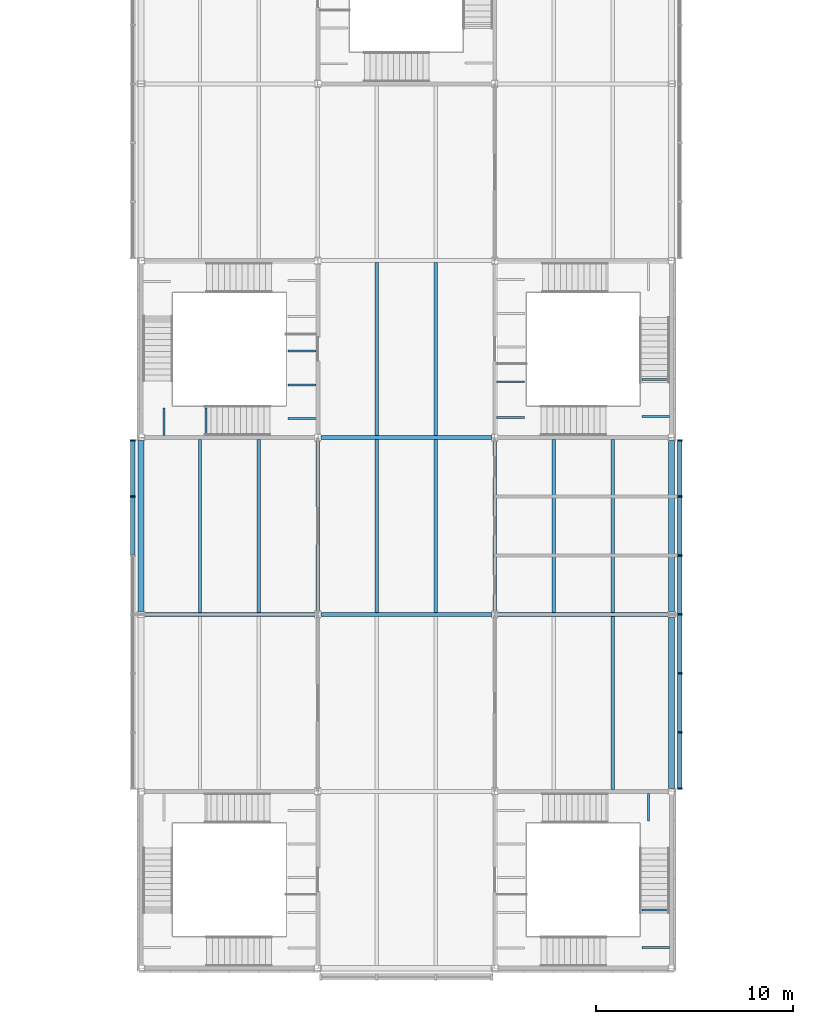
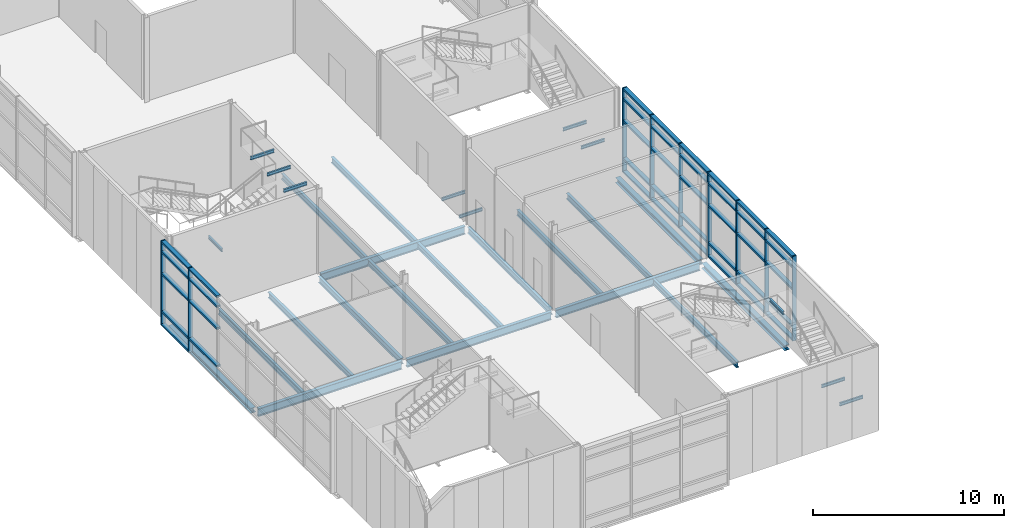
# One storey, part 10 of 52: 48 members, 30 beams, 2 elements without a shape of their own.
"""IFC4 building model written with IfcOpenShell, lengths in metres."""

from ifc_helpers import new_model, si_unit, direction, frame, origin, origin_2d, place, context, subcontext, project, spatial, rectangle, i_section, extrude, material, material_profile, profile_set, type_object, element, aggregate, save


model = new_model("IFC4")

# Units and contexts
model_context = context("Model", 3, precision=1e-05, world=origin(), true_north=direction((0.0, 1.0)))
body_context = subcontext(model_context, "Body", "Model", "MODEL_VIEW")
ifc_project = project(units=[si_unit("LENGTHUNIT", "METRE"), si_unit("AREAUNIT", "SQUARE_METRE"), si_unit("VOLUMEUNIT", "CUBIC_METRE"), si_unit("PLANEANGLEUNIT", "RADIAN"), si_unit("MASSUNIT", "GRAM", prefix="KILO")], contexts=[model_context])

# Site, building, storey
site_placement = place(None, origin())
site = spatial("IfcSite", under=ifc_project, at=site_placement, CompositionType="ELEMENT")
building_placement = place(site_placement, origin())
building = spatial("IfcBuilding", under=site, at=building_placement, Name="Azimuth Sports and Learning Centre", CompositionType="ELEMENT")
storey_placement = place(building_placement, frame((0.0, 0.0, 16.199951171875)))
storey = spatial("IfcBuildingStorey", under=building, at=storey_placement, Name="L03", CompositionType="ELEMENT", Elevation=16.199951171875)

# Beams
ifc_material_1 = material(Name="Steel S355", Category="steel")
ifc_material_profile_1 = material_profile(ifc_material_1, i_section(OverallWidth=0.10009765625, OverallDepth=0.199951171875, WebThickness=0.005615234375, FlangeThickness=0.008544921875, FilletRadius=0.011962890625, at=origin_2d()), Name="IPE 200")
ifc_profile_set_1 = profile_set([ifc_material_profile_1], Name="Steel S355")
beam_type_1 = type_object("IfcBeamType", Name="Beam IPE 200", PredefinedType="BEAM", material=ifc_profile_set_1)
for number, where, z_axis, x_axis, name in (
    (1, (98.89990234375, 1.06005859375, 1.5), (-1.0, 0.0, 0.0), (0.0, -1.0, 0.0), "Landing bracket ST2 L03 1052"),
    (2, (98.89990234375, 2.9599609375, 1.5), (-1.0, 0.0, 0.0), (0.0, -1.0, 0.0), "Landing bracket ST2 L03 1053"),
    (3, (97.827392578125, 8.89990234375, 3.300048828125), (0.0, -1.0, 0.0), (1.0, 0.0, 0.0), "Landing bracket ST2 L03 1055"),
    (4, (73.172607421875, 27.10009765625, 3.300048828125), (0.0, 1.0, 0.0), (-1.0, 0.0, 0.0), "Landing bracket ST3 L03 1088"),
    (5, (75.297607421875, 27.10009765625, 3.300048828125), (0.0, 1.0, 0.0), (-1.0, 0.0, 0.0), "Landing bracket ST3 L03 1089"),
    (6, (80.89990234375, 27.966552734375, 5.10009765625), (-1.0, 0.0, 0.0), (0.0, -1.0, 0.0), "Landing bracket ST3 L03 1090"),
    (7, (80.89990234375, 29.679931640625, 5.10009765625), (-1.0, 0.0, 0.0), (0.0, -1.0, 0.0), "Landing bracket ST3 L03 1091"),
    (8, (80.89990234375, 31.393310546875, 5.10009765625), (-1.0, 0.0, 0.0), (0.0, -1.0, 0.0), "Landing bracket ST3 L03 1092"),
    (9, (90.10009765625, 28.02001953125, -0.300048828125), (1.0, 0.0, 0.0), (0.0, 1.0, 0.0), "Landing bracket ST4 L03 1118"),
    (10, (90.10009765625, 29.840087890625, -0.300048828125), (1.0, 0.0, 0.0), (0.0, 1.0, 0.0), "Landing bracket ST4 L03 1119"),
    (11, (98.89990234375, 28.06005859375, 1.5), (-1.0, 0.0, 0.0), (0.0, -1.0, 0.0), "Landing bracket ST4 L03 1120"),
    (12, (98.89990234375, 29.9599609375, 1.5), (-1.0, 0.0, 0.0), (0.0, -1.0, 0.0), "Landing bracket ST4 L03 1121"),
):
    element("IfcBeam", number, at=place(storey_placement, frame(where, z_axis=z_axis, x_axis=x_axis)), inside=storey, type_object=beam_type_1, Name=name, PredefinedType="BEAM", context=body_context, shape_type="SweptSolid", body=[
        extrude(i_section(OverallWidth=0.10009765625, OverallDepth=0.199951171875, WebThickness=0.005615234375, FlangeThickness=0.008544921875, FilletRadius=0.011962890625, at=origin_2d()), origin(), (0.0, 0.0, 1.0), 1.409912109375),
    ])
ifc_material_2 = material(Name="Steel S355", Category="steel")
ifc_material_profile_2 = material_profile(ifc_material_2, i_section(OverallWidth=0.179931640625, OverallDepth=0.39990234375, WebThickness=0.008544921875, FlangeThickness=0.013427734375, FilletRadius=0.02099609375, at=origin_2d()), Name="IPE 400")
ifc_profile_set_2 = profile_set([ifc_material_profile_2], Name="Steel S355")
beam_type_2 = type_object("IfcBeamType", Name="Beam IPE 400", PredefinedType="BEAM", material=ifc_profile_set_2)
for number, where, z_axis, x_axis, name in (
    (13, (81.0, 18.179931640625, -0.349853515625), (0.0, 1.0, 0.0), (-1.0, 0.0, 0.0), "Beam L03 ST 30"),
    (14, (90.0, 18.179931640625, -0.349853515625), (0.0, 1.0, 0.0), (-1.0, 0.0, 0.0), "Beam L03 ST 36"),
):
    element("IfcBeam", number, at=place(storey_placement, frame(where, z_axis=z_axis, x_axis=x_axis)), inside=storey, type_object=beam_type_2, Name=name, PredefinedType="BEAM", context=body_context, shape_type="SweptSolid", body=[
        extrude(i_section(OverallWidth=0.179931640625, OverallDepth=0.39990234375, WebThickness=0.008544921875, FlangeThickness=0.013427734375, FilletRadius=0.02099609375, at=origin_2d()), origin(), (0.0, 0.0, 1.0), 8.64013671875),
    ])
ifc_material_3 = material(Name="Steel S355", Category="steel")
ifc_material_profile_3 = material_profile(ifc_material_3, i_section(OverallWidth=0.199951171875, OverallDepth=0.5, WebThickness=0.01025390625, FlangeThickness=0.01611328125, FilletRadius=0.02099609375, at=origin_2d()), Name="IPE 500")
ifc_profile_set_3 = profile_set([ifc_material_profile_3], Name="Steel S355")
beam_type_3 = type_object("IfcBeamType", Name="Beam IPE 500", PredefinedType="BEAM", material=ifc_profile_set_3)
beam_1_placement = place(storey_placement, frame((72.179931640625, 18.0, -0.39990234375), z_axis=(1.0, 0.0, 0.0), x_axis=(0.0, 1.0, 0.0)))
element("IfcBeam", 15, at=beam_1_placement, inside=storey, type_object=beam_type_3, Name="Beam L03 ST 3", PredefinedType="BEAM", context=body_context, shape_type="SweptSolid", body=[
    extrude(i_section(OverallWidth=0.199951171875, OverallDepth=0.5, WebThickness=0.01025390625, FlangeThickness=0.01611328125, FilletRadius=0.02099609375, at=origin_2d()), origin(), (0.0, 0.0, 1.0), 8.670166015625),
])
beam_2_placement = place(storey_placement, frame((81.14990234375, 18.0, -0.39990234375), z_axis=(1.0, 0.0, 0.0), x_axis=(0.0, 1.0, 0.0)))
element("IfcBeam", 16, at=beam_2_placement, inside=storey, type_object=beam_type_3, Name="Beam L03 ST 4", PredefinedType="BEAM", context=body_context, shape_type="SweptSolid", body=[
    extrude(i_section(OverallWidth=0.199951171875, OverallDepth=0.5, WebThickness=0.01025390625, FlangeThickness=0.01611328125, FilletRadius=0.02099609375, at=origin_2d()), origin(), (0.0, 0.0, 1.0), 8.7001953125),
])
beam_3_placement = place(storey_placement, frame((90.14990234375, 18.0, -0.39990234375), z_axis=(1.0, 0.0, 0.0), x_axis=(0.0, 1.0, 0.0)))
element("IfcBeam", 17, at=beam_3_placement, inside=storey, type_object=beam_type_3, Name="Beam L03 ST 5", PredefinedType="BEAM", context=body_context, shape_type="SweptSolid", body=[
    extrude(i_section(OverallWidth=0.199951171875, OverallDepth=0.5, WebThickness=0.01025390625, FlangeThickness=0.01611328125, FilletRadius=0.02099609375, at=origin_2d()), origin(), (0.0, 0.0, 1.0), 8.670166015625),
])
beam_4_placement = place(storey_placement, frame((81.14990234375, 27.0, -0.39990234375), z_axis=(1.0, 0.0, 0.0), x_axis=(0.0, 1.0, 0.0)))
element("IfcBeam", 18, at=beam_4_placement, inside=storey, type_object=beam_type_3, Name="Beam L03 ST 6", PredefinedType="BEAM", context=body_context, shape_type="SweptSolid", body=[
    extrude(i_section(OverallWidth=0.199951171875, OverallDepth=0.5, WebThickness=0.01025390625, FlangeThickness=0.01611328125, FilletRadius=0.02099609375, at=origin_2d()), origin(), (0.0, 0.0, 1.0), 8.7001953125),
])
ifc_material_4 = material(Name="Steel S355", Category="steel")
ifc_material_profile_4 = material_profile(ifc_material_4, i_section(OverallWidth=0.300048828125, OverallDepth=0.330078125, WebThickness=0.009521484375, FlangeThickness=0.0166015625, FilletRadius=0.027099609375, at=origin_2d()), Name="HEA 340")
ifc_profile_set_4 = profile_set([ifc_material_profile_4], Name="Steel S355")
beam_type_4 = type_object("IfcBeamType", Name="Edge beam HEA 340", PredefinedType="SPANDREL", material=ifc_profile_set_4)
for number, where, z_axis, x_axis, name in (
    (19, (72.0, 18.14990234375, -0.31494140625), (0.0, 1.0, 0.0), (-1.0, 0.0, 0.0), "Edge beam L03 ST 22"),
    (20, (99.0, 9.14990234375, -0.31494140625), (0.0, 1.0, 0.0), (-1.0, 0.0, 0.0), "Edge beam L03 ST 41"),
    (21, (99.0, 18.14990234375, -0.31494140625), (0.0, 1.0, 0.0), (-1.0, 0.0, 0.0), "Edge beam L03 ST 42"),
):
    element("IfcBeam", number, at=place(storey_placement, frame(where, z_axis=z_axis, x_axis=x_axis)), inside=storey, type_object=beam_type_4, Name=name, PredefinedType="SPANDREL", context=body_context, shape_type="SweptSolid", body=[
        extrude(i_section(OverallWidth=0.300048828125, OverallDepth=0.330078125, WebThickness=0.009521484375, FlangeThickness=0.0166015625, FilletRadius=0.027099609375, at=origin_2d()), origin(), (0.0, 0.0, 1.0), 8.7001953125),
    ])
ifc_material_5 = material(Name="Steel S355", Category="steel")
ifc_material_profile_5 = material_profile(ifc_material_5, i_section(OverallWidth=0.169921875, OverallDepth=0.360107421875, WebThickness=0.008056640625, FlangeThickness=0.0126953125, FilletRadius=0.01806640625, at=origin_2d()), Name="IPE 360")
ifc_profile_set_5 = profile_set([ifc_material_profile_5], Name="Steel S355")
beam_type_5 = type_object("IfcBeamType", Name="Joist IPE 360", PredefinedType="JOIST", material=ifc_profile_set_5)
for number, where, z_axis, x_axis, name in (
    (22, (75.0, 18.10009765625, -0.329833984375), (0.0, 1.0, 0.0), (-1.0, 0.0, 0.0), "Joist L03 ST 49"),
    (23, (78.0, 18.10009765625, -0.329833984375), (0.0, 1.0, 0.0), (-1.0, 0.0, 0.0), "Joist L03 ST 57"),
    (24, (84.0, 18.10009765625, -0.329833984375), (0.0, 1.0, 0.0), (-1.0, 0.0, 0.0), "Joist L03 ST 66"),
    (25, (84.0, 27.10009765625, -0.329833984375), (0.0, 1.0, 0.0), (-1.0, 0.0, 0.0), "Joist L03 ST 67"),
    (26, (87.0, 18.10009765625, -0.329833984375), (0.0, 1.0, 0.0), (-1.0, 0.0, 0.0), "Joist L03 ST 72"),
    (27, (87.0, 27.10009765625, -0.329833984375), (0.0, 1.0, 0.0), (-1.0, 0.0, 0.0), "Joist L03 ST 73"),
    (28, (93.0, 18.10009765625, -0.329833984375), (0.0, 1.0, 0.0), (-1.0, 0.0, 0.0), "Joist L03 ST 77"),
    (29, (96.0, 9.10009765625, -0.329833984375), (0.0, 1.0, 0.0), (-1.0, 0.0, 0.0), "Joist L03 ST 84"),
    (30, (96.0, 18.10009765625, -0.329833984375), (0.0, 1.0, 0.0), (-1.0, 0.0, 0.0), "Joist L03 ST 85"),
):
    element("IfcBeam", number, at=place(storey_placement, frame(where, z_axis=z_axis, x_axis=x_axis)), inside=storey, type_object=beam_type_5, Name=name, PredefinedType="JOIST", context=body_context, shape_type="SweptSolid", body=[
        extrude(i_section(OverallWidth=0.169921875, OverallDepth=0.360107421875, WebThickness=0.008056640625, FlangeThickness=0.0126953125, FilletRadius=0.01806640625, at=origin_2d()), origin(), (0.0, 0.0, 1.0), 8.7998046875),
    ])

# Curtain wall, members
ifc_material_6 = material(Name="Aluminium and glass", Category="aluminium")
curtain_wall_type = type_object("IfcCurtainWallType", Name="Curtain wall podium stem 240", PredefinedType="NOTDEFINED", material=ifc_material_6)
curtain_wall_1_placement = place(storey_placement, origin())
curtain_wall_1 = element("IfcCurtainWall", 31, at=curtain_wall_1_placement, inside=storey, type_object=curtain_wall_type, Name="Curtain wall CW03-004", PredefinedType="NOTDEFINED")
ifc_material_7 = material(Name="Aluminium", Category="aluminium")
ifc_material_profile_6 = material_profile(ifc_material_7, rectangle(XDim=0.239990234375, YDim=0.080078125, at=origin_2d()), Name="Mullion 80x240")
ifc_profile_set_6 = profile_set([ifc_material_profile_6], Name="Aluminium")
member_type_1 = type_object("IfcMemberType", Name="Mullion 80x240", PredefinedType="MULLION", material=ifc_profile_set_6)
member_1_placement = place(storey_placement, frame((71.580078125, 26.860107421875, 0.0), z_axis=(0.0, 0.0, 1.0), x_axis=(1.0, 0.0, 0.0)))
member_1 = element("IfcMember", 32, at=member_1_placement, type_object=member_type_1, Name="CW03-004 mullion 1", PredefinedType="MULLION", context=body_context, shape_type="SweptSolid", body=[
    extrude(rectangle(XDim=0.239990234375, YDim=0.080078125, at=origin_2d()), origin(), (0.0, 0.0, 1.0), 5.400146484375),
])
member_2_placement = place(storey_placement, frame((71.580078125, 24.0, 0.0), z_axis=(0.0, 0.0, 1.0), x_axis=(1.0, 0.0, 0.0)))
member_2 = element("IfcMember", 33, at=member_2_placement, type_object=member_type_1, Name="CW03-004 mullion 2", PredefinedType="MULLION", context=body_context, shape_type="SweptSolid", body=[
    extrude(rectangle(XDim=0.239990234375, YDim=0.080078125, at=origin_2d()), origin(), (0.0, 0.0, 1.0), 5.400146484375),
])

curtain_wall_2_placement = place(storey_placement, origin())
curtain_wall_2 = element("IfcCurtainWall", 34, at=curtain_wall_2_placement, inside=storey, type_object=curtain_wall_type, Name="Curtain wall CW03-006", PredefinedType="NOTDEFINED")
member_3_placement = place(storey_placement, frame((99.419921875, 9.139892578125, 0.0), z_axis=(0.0, 0.0, 1.0), x_axis=(-1.0, 0.0, 0.0)))
member_3 = element("IfcMember", 35, at=member_3_placement, type_object=member_type_1, Name="CW03-006 mullion 1", PredefinedType="MULLION", context=body_context, shape_type="SweptSolid", body=[
    extrude(rectangle(XDim=0.239990234375, YDim=0.080078125, at=origin_2d()), origin(), (0.0, 0.0, 1.0), 5.400146484375),
])
member_4_placement = place(storey_placement, frame((99.419921875, 12.0, 0.0), z_axis=(0.0, 0.0, 1.0), x_axis=(-1.0, 0.0, 0.0)))
member_4 = element("IfcMember", 36, at=member_4_placement, type_object=member_type_1, Name="CW03-006 mullion 2", PredefinedType="MULLION", context=body_context, shape_type="SweptSolid", body=[
    extrude(rectangle(XDim=0.239990234375, YDim=0.080078125, at=origin_2d()), origin(), (0.0, 0.0, 1.0), 5.400146484375),
])
member_5_placement = place(storey_placement, frame((99.419921875, 15.0, 0.0), z_axis=(0.0, 0.0, 1.0), x_axis=(-1.0, 0.0, 0.0)))
member_5 = element("IfcMember", 37, at=member_5_placement, type_object=member_type_1, Name="CW03-006 mullion 3", PredefinedType="MULLION", context=body_context, shape_type="SweptSolid", body=[
    extrude(rectangle(XDim=0.239990234375, YDim=0.080078125, at=origin_2d()), origin(), (0.0, 0.0, 1.0), 5.400146484375),
])
member_6_placement = place(storey_placement, frame((99.419921875, 18.0, 0.0), z_axis=(0.0, 0.0, 1.0), x_axis=(-1.0, 0.0, 0.0)))
member_6 = element("IfcMember", 38, at=member_6_placement, type_object=member_type_1, Name="CW03-006 mullion 4", PredefinedType="MULLION", context=body_context, shape_type="SweptSolid", body=[
    extrude(rectangle(XDim=0.239990234375, YDim=0.080078125, at=origin_2d()), origin(), (0.0, 0.0, 1.0), 5.400146484375),
])
member_7_placement = place(storey_placement, frame((99.419921875, 21.0, 0.0), z_axis=(0.0, 0.0, 1.0), x_axis=(-1.0, 0.0, 0.0)))
member_7 = element("IfcMember", 39, at=member_7_placement, type_object=member_type_1, Name="CW03-006 mullion 5", PredefinedType="MULLION", context=body_context, shape_type="SweptSolid", body=[
    extrude(rectangle(XDim=0.239990234375, YDim=0.080078125, at=origin_2d()), origin(), (0.0, 0.0, 1.0), 5.400146484375),
])
member_8_placement = place(storey_placement, frame((99.419921875, 24.0, 0.0), z_axis=(0.0, 0.0, 1.0), x_axis=(-1.0, 0.0, 0.0)))
member_8 = element("IfcMember", 40, at=member_8_placement, type_object=member_type_1, Name="CW03-006 mullion 6", PredefinedType="MULLION", context=body_context, shape_type="SweptSolid", body=[
    extrude(rectangle(XDim=0.239990234375, YDim=0.080078125, at=origin_2d()), origin(), (0.0, 0.0, 1.0), 5.400146484375),
])
member_9_placement = place(storey_placement, frame((99.419921875, 26.860107421875, 0.0), z_axis=(0.0, 0.0, 1.0), x_axis=(-1.0, 0.0, 0.0)))
member_9 = element("IfcMember", 41, at=member_9_placement, type_object=member_type_1, Name="CW03-006 mullion 7", PredefinedType="MULLION", context=body_context, shape_type="SweptSolid", body=[
    extrude(rectangle(XDim=0.239990234375, YDim=0.080078125, at=origin_2d()), origin(), (0.0, 0.0, 1.0), 5.400146484375),
])

# Member
ifc_material_8 = material(Name="Aluminium", Category="aluminium")
ifc_material_profile_7 = material_profile(ifc_material_8, rectangle(XDim=0.239990234375, YDim=0.1201171875, at=origin_2d()), Name="Transom 120x240")
ifc_profile_set_7 = profile_set([ifc_material_profile_7], Name="Aluminium")
member_type_2 = type_object("IfcMemberType", Name="Transom 120x240", PredefinedType="USERDEFINED", material=ifc_profile_set_7)
member_10_placement = place(storey_placement, frame((71.580078125, 26.820068359375, 0.06005859375), z_axis=(0.0, -1.0, 0.0), x_axis=(1.0, 0.0, 0.0)))
member_10 = element("IfcMember", 42, at=member_10_placement, type_object=member_type_2, Name="CW03-004 transom 1.1", ObjectType="TRANSOM", PredefinedType="USERDEFINED", context=body_context, shape_type="SweptSolid", body=[
    extrude(rectangle(XDim=0.239990234375, YDim=0.1201171875, at=origin_2d()), origin(), (0.0, 0.0, 1.0), 2.780029296875),
])

member_11_placement = place(storey_placement, frame((71.580078125, 26.820068359375, 0.900146484375), z_axis=(0.0, -1.0, 0.0), x_axis=(1.0, 0.0, 0.0)))
member_11 = element("IfcMember", 43, at=member_11_placement, type_object=member_type_2, Name="CW03-004 transom 1.2", ObjectType="TRANSOM", PredefinedType="USERDEFINED", context=body_context, shape_type="SweptSolid", body=[
    extrude(rectangle(XDim=0.239990234375, YDim=0.1201171875, at=origin_2d()), origin(), (0.0, 0.0, 1.0), 2.780029296875),
])

member_12_placement = place(storey_placement, frame((71.580078125, 26.820068359375, 3.300048828125), z_axis=(0.0, -1.0, 0.0), x_axis=(1.0, 0.0, 0.0)))
member_12 = element("IfcMember", 44, at=member_12_placement, type_object=member_type_2, Name="CW03-004 transom 1.3", ObjectType="TRANSOM", PredefinedType="USERDEFINED", context=body_context, shape_type="SweptSolid", body=[
    extrude(rectangle(XDim=0.239990234375, YDim=0.1201171875, at=origin_2d()), origin(), (0.0, 0.0, 1.0), 2.780029296875),
])

member_13_placement = place(storey_placement, frame((71.580078125, 26.820068359375, 4.699951171875), z_axis=(0.0, -1.0, 0.0), x_axis=(1.0, 0.0, 0.0)))
member_13 = element("IfcMember", 45, at=member_13_placement, type_object=member_type_2, Name="CW03-004 transom 1.4", ObjectType="TRANSOM", PredefinedType="USERDEFINED", context=body_context, shape_type="SweptSolid", body=[
    extrude(rectangle(XDim=0.239990234375, YDim=0.1201171875, at=origin_2d()), origin(), (0.0, 0.0, 1.0), 2.780029296875),
])

member_14_placement = place(storey_placement, frame((71.580078125, 26.820068359375, 5.340087890625), z_axis=(0.0, -1.0, 0.0), x_axis=(1.0, 0.0, 0.0)))
member_14 = element("IfcMember", 46, at=member_14_placement, type_object=member_type_2, Name="CW03-004 transom 1.5", ObjectType="TRANSOM", PredefinedType="USERDEFINED", context=body_context, shape_type="SweptSolid", body=[
    extrude(rectangle(XDim=0.239990234375, YDim=0.1201171875, at=origin_2d()), origin(), (0.0, 0.0, 1.0), 2.780029296875),
])

member_15_placement = place(storey_placement, frame((71.580078125, 23.9599609375, 0.900146484375), z_axis=(0.0, -1.0, 0.0), x_axis=(1.0, 0.0, 0.0)))
member_15 = element("IfcMember", 47, at=member_15_placement, type_object=member_type_2, Name="CW03-004 transom 2.2", ObjectType="TRANSOM", PredefinedType="USERDEFINED", context=body_context, shape_type="SweptSolid", body=[
    extrude(rectangle(XDim=0.239990234375, YDim=0.1201171875, at=origin_2d()), origin(), (0.0, 0.0, 1.0), 2.919921875),
])

member_16_placement = place(storey_placement, frame((71.580078125, 23.9599609375, 3.300048828125), z_axis=(0.0, -1.0, 0.0), x_axis=(1.0, 0.0, 0.0)))
member_16 = element("IfcMember", 48, at=member_16_placement, type_object=member_type_2, Name="CW03-004 transom 2.3", ObjectType="TRANSOM", PredefinedType="USERDEFINED", context=body_context, shape_type="SweptSolid", body=[
    extrude(rectangle(XDim=0.239990234375, YDim=0.1201171875, at=origin_2d()), origin(), (0.0, 0.0, 1.0), 2.919921875),
])

member_17_placement = place(storey_placement, frame((71.580078125, 23.9599609375, 4.699951171875), z_axis=(0.0, -1.0, 0.0), x_axis=(1.0, 0.0, 0.0)))
member_17 = element("IfcMember", 49, at=member_17_placement, type_object=member_type_2, Name="CW03-004 transom 2.4", ObjectType="TRANSOM", PredefinedType="USERDEFINED", context=body_context, shape_type="SweptSolid", body=[
    extrude(rectangle(XDim=0.239990234375, YDim=0.1201171875, at=origin_2d()), origin(), (0.0, 0.0, 1.0), 2.919921875),
])

member_18_placement = place(storey_placement, frame((71.580078125, 23.9599609375, 5.340087890625), z_axis=(0.0, -1.0, 0.0), x_axis=(1.0, 0.0, 0.0)))
member_18 = element("IfcMember", 50, at=member_18_placement, type_object=member_type_2, Name="CW03-004 transom 2.5", ObjectType="TRANSOM", PredefinedType="USERDEFINED", context=body_context, shape_type="SweptSolid", body=[
    extrude(rectangle(XDim=0.239990234375, YDim=0.1201171875, at=origin_2d()), origin(), (0.0, 0.0, 1.0), 2.919921875),
])

aggregate(curtain_wall_1, [member_1, member_2, member_10, member_11, member_12, member_13, member_14, member_15, member_16, member_17, member_18])

member_19_placement = place(storey_placement, frame((99.419921875, 9.179931640625, 0.06005859375), z_axis=(0.0, 1.0, 0.0), x_axis=(-1.0, 0.0, 0.0)))
member_19 = element("IfcMember", 51, at=member_19_placement, type_object=member_type_2, Name="CW03-006 transom 1.1", ObjectType="TRANSOM", PredefinedType="USERDEFINED", context=body_context, shape_type="SweptSolid", body=[
    extrude(rectangle(XDim=0.239990234375, YDim=0.1201171875, at=origin_2d()), origin(), (0.0, 0.0, 1.0), 2.780029296875),
])

member_20_placement = place(storey_placement, frame((99.419921875, 9.179931640625, 0.900146484375), z_axis=(0.0, 1.0, 0.0), x_axis=(-1.0, 0.0, 0.0)))
member_20 = element("IfcMember", 52, at=member_20_placement, type_object=member_type_2, Name="CW03-006 transom 1.2", ObjectType="TRANSOM", PredefinedType="USERDEFINED", context=body_context, shape_type="SweptSolid", body=[
    extrude(rectangle(XDim=0.239990234375, YDim=0.1201171875, at=origin_2d()), origin(), (0.0, 0.0, 1.0), 2.780029296875),
])

member_21_placement = place(storey_placement, frame((99.419921875, 9.179931640625, 3.300048828125), z_axis=(0.0, 1.0, 0.0), x_axis=(-1.0, 0.0, 0.0)))
member_21 = element("IfcMember", 53, at=member_21_placement, type_object=member_type_2, Name="CW03-006 transom 1.3", ObjectType="TRANSOM", PredefinedType="USERDEFINED", context=body_context, shape_type="SweptSolid", body=[
    extrude(rectangle(XDim=0.239990234375, YDim=0.1201171875, at=origin_2d()), origin(), (0.0, 0.0, 1.0), 2.780029296875),
])

member_22_placement = place(storey_placement, frame((99.419921875, 9.179931640625, 4.699951171875), z_axis=(0.0, 1.0, 0.0), x_axis=(-1.0, 0.0, 0.0)))
member_22 = element("IfcMember", 54, at=member_22_placement, type_object=member_type_2, Name="CW03-006 transom 1.4", ObjectType="TRANSOM", PredefinedType="USERDEFINED", context=body_context, shape_type="SweptSolid", body=[
    extrude(rectangle(XDim=0.239990234375, YDim=0.1201171875, at=origin_2d()), origin(), (0.0, 0.0, 1.0), 2.780029296875),
])

member_23_placement = place(storey_placement, frame((99.419921875, 9.179931640625, 5.340087890625), z_axis=(0.0, 1.0, 0.0), x_axis=(-1.0, 0.0, 0.0)))
member_23 = element("IfcMember", 55, at=member_23_placement, type_object=member_type_2, Name="CW03-006 transom 1.5", ObjectType="TRANSOM", PredefinedType="USERDEFINED", context=body_context, shape_type="SweptSolid", body=[
    extrude(rectangle(XDim=0.239990234375, YDim=0.1201171875, at=origin_2d()), origin(), (0.0, 0.0, 1.0), 2.780029296875),
])

member_24_placement = place(storey_placement, frame((99.419921875, 12.0400390625, 0.06005859375), z_axis=(0.0, 1.0, 0.0), x_axis=(-1.0, 0.0, 0.0)))
member_24 = element("IfcMember", 56, at=member_24_placement, type_object=member_type_2, Name="CW03-006 transom 2.1", ObjectType="TRANSOM", PredefinedType="USERDEFINED", context=body_context, shape_type="SweptSolid", body=[
    extrude(rectangle(XDim=0.239990234375, YDim=0.1201171875, at=origin_2d()), origin(), (0.0, 0.0, 1.0), 2.919921875),
])

member_25_placement = place(storey_placement, frame((99.419921875, 12.0400390625, 0.900146484375), z_axis=(0.0, 1.0, 0.0), x_axis=(-1.0, 0.0, 0.0)))
member_25 = element("IfcMember", 57, at=member_25_placement, type_object=member_type_2, Name="CW03-006 transom 2.2", ObjectType="TRANSOM", PredefinedType="USERDEFINED", context=body_context, shape_type="SweptSolid", body=[
    extrude(rectangle(XDim=0.239990234375, YDim=0.1201171875, at=origin_2d()), origin(), (0.0, 0.0, 1.0), 2.919921875),
])

member_26_placement = place(storey_placement, frame((99.419921875, 12.0400390625, 3.300048828125), z_axis=(0.0, 1.0, 0.0), x_axis=(-1.0, 0.0, 0.0)))
member_26 = element("IfcMember", 58, at=member_26_placement, type_object=member_type_2, Name="CW03-006 transom 2.3", ObjectType="TRANSOM", PredefinedType="USERDEFINED", context=body_context, shape_type="SweptSolid", body=[
    extrude(rectangle(XDim=0.239990234375, YDim=0.1201171875, at=origin_2d()), origin(), (0.0, 0.0, 1.0), 2.919921875),
])

member_27_placement = place(storey_placement, frame((99.419921875, 12.0400390625, 4.699951171875), z_axis=(0.0, 1.0, 0.0), x_axis=(-1.0, 0.0, 0.0)))
member_27 = element("IfcMember", 59, at=member_27_placement, type_object=member_type_2, Name="CW03-006 transom 2.4", ObjectType="TRANSOM", PredefinedType="USERDEFINED", context=body_context, shape_type="SweptSolid", body=[
    extrude(rectangle(XDim=0.239990234375, YDim=0.1201171875, at=origin_2d()), origin(), (0.0, 0.0, 1.0), 2.919921875),
])

member_28_placement = place(storey_placement, frame((99.419921875, 12.0400390625, 5.340087890625), z_axis=(0.0, 1.0, 0.0), x_axis=(-1.0, 0.0, 0.0)))
member_28 = element("IfcMember", 60, at=member_28_placement, type_object=member_type_2, Name="CW03-006 transom 2.5", ObjectType="TRANSOM", PredefinedType="USERDEFINED", context=body_context, shape_type="SweptSolid", body=[
    extrude(rectangle(XDim=0.239990234375, YDim=0.1201171875, at=origin_2d()), origin(), (0.0, 0.0, 1.0), 2.919921875),
])

member_29_placement = place(storey_placement, frame((99.419921875, 15.0400390625, 0.06005859375), z_axis=(0.0, 1.0, 0.0), x_axis=(-1.0, 0.0, 0.0)))
member_29 = element("IfcMember", 61, at=member_29_placement, type_object=member_type_2, Name="CW03-006 transom 3.1", ObjectType="TRANSOM", PredefinedType="USERDEFINED", context=body_context, shape_type="SweptSolid", body=[
    extrude(rectangle(XDim=0.239990234375, YDim=0.1201171875, at=origin_2d()), origin(), (0.0, 0.0, 1.0), 2.919921875),
])

member_30_placement = place(storey_placement, frame((99.419921875, 15.0400390625, 0.900146484375), z_axis=(0.0, 1.0, 0.0), x_axis=(-1.0, 0.0, 0.0)))
member_30 = element("IfcMember", 62, at=member_30_placement, type_object=member_type_2, Name="CW03-006 transom 3.2", ObjectType="TRANSOM", PredefinedType="USERDEFINED", context=body_context, shape_type="SweptSolid", body=[
    extrude(rectangle(XDim=0.239990234375, YDim=0.1201171875, at=origin_2d()), origin(), (0.0, 0.0, 1.0), 2.919921875),
])

member_31_placement = place(storey_placement, frame((99.419921875, 15.0400390625, 3.300048828125), z_axis=(0.0, 1.0, 0.0), x_axis=(-1.0, 0.0, 0.0)))
member_31 = element("IfcMember", 63, at=member_31_placement, type_object=member_type_2, Name="CW03-006 transom 3.3", ObjectType="TRANSOM", PredefinedType="USERDEFINED", context=body_context, shape_type="SweptSolid", body=[
    extrude(rectangle(XDim=0.239990234375, YDim=0.1201171875, at=origin_2d()), origin(), (0.0, 0.0, 1.0), 2.919921875),
])

member_32_placement = place(storey_placement, frame((99.419921875, 15.0400390625, 4.699951171875), z_axis=(0.0, 1.0, 0.0), x_axis=(-1.0, 0.0, 0.0)))
member_32 = element("IfcMember", 64, at=member_32_placement, type_object=member_type_2, Name="CW03-006 transom 3.4", ObjectType="TRANSOM", PredefinedType="USERDEFINED", context=body_context, shape_type="SweptSolid", body=[
    extrude(rectangle(XDim=0.239990234375, YDim=0.1201171875, at=origin_2d()), origin(), (0.0, 0.0, 1.0), 2.919921875),
])

member_33_placement = place(storey_placement, frame((99.419921875, 15.0400390625, 5.340087890625), z_axis=(0.0, 1.0, 0.0), x_axis=(-1.0, 0.0, 0.0)))
member_33 = element("IfcMember", 65, at=member_33_placement, type_object=member_type_2, Name="CW03-006 transom 3.5", ObjectType="TRANSOM", PredefinedType="USERDEFINED", context=body_context, shape_type="SweptSolid", body=[
    extrude(rectangle(XDim=0.239990234375, YDim=0.1201171875, at=origin_2d()), origin(), (0.0, 0.0, 1.0), 2.919921875),
])

member_34_placement = place(storey_placement, frame((99.419921875, 18.0400390625, 0.06005859375), z_axis=(0.0, 1.0, 0.0), x_axis=(-1.0, 0.0, 0.0)))
member_34 = element("IfcMember", 66, at=member_34_placement, type_object=member_type_2, Name="CW03-006 transom 4.1", ObjectType="TRANSOM", PredefinedType="USERDEFINED", context=body_context, shape_type="SweptSolid", body=[
    extrude(rectangle(XDim=0.239990234375, YDim=0.1201171875, at=origin_2d()), origin(), (0.0, 0.0, 1.0), 2.919921875),
])

member_35_placement = place(storey_placement, frame((99.419921875, 18.0400390625, 0.900146484375), z_axis=(0.0, 1.0, 0.0), x_axis=(-1.0, 0.0, 0.0)))
member_35 = element("IfcMember", 67, at=member_35_placement, type_object=member_type_2, Name="CW03-006 transom 4.2", ObjectType="TRANSOM", PredefinedType="USERDEFINED", context=body_context, shape_type="SweptSolid", body=[
    extrude(rectangle(XDim=0.239990234375, YDim=0.1201171875, at=origin_2d()), origin(), (0.0, 0.0, 1.0), 2.919921875),
])

member_36_placement = place(storey_placement, frame((99.419921875, 18.0400390625, 3.300048828125), z_axis=(0.0, 1.0, 0.0), x_axis=(-1.0, 0.0, 0.0)))
member_36 = element("IfcMember", 68, at=member_36_placement, type_object=member_type_2, Name="CW03-006 transom 4.3", ObjectType="TRANSOM", PredefinedType="USERDEFINED", context=body_context, shape_type="SweptSolid", body=[
    extrude(rectangle(XDim=0.239990234375, YDim=0.1201171875, at=origin_2d()), origin(), (0.0, 0.0, 1.0), 2.919921875),
])

member_37_placement = place(storey_placement, frame((99.419921875, 18.0400390625, 4.699951171875), z_axis=(0.0, 1.0, 0.0), x_axis=(-1.0, 0.0, 0.0)))
member_37 = element("IfcMember", 69, at=member_37_placement, type_object=member_type_2, Name="CW03-006 transom 4.4", ObjectType="TRANSOM", PredefinedType="USERDEFINED", context=body_context, shape_type="SweptSolid", body=[
    extrude(rectangle(XDim=0.239990234375, YDim=0.1201171875, at=origin_2d()), origin(), (0.0, 0.0, 1.0), 2.919921875),
])

member_38_placement = place(storey_placement, frame((99.419921875, 18.0400390625, 5.340087890625), z_axis=(0.0, 1.0, 0.0), x_axis=(-1.0, 0.0, 0.0)))
member_38 = element("IfcMember", 70, at=member_38_placement, type_object=member_type_2, Name="CW03-006 transom 4.5", ObjectType="TRANSOM", PredefinedType="USERDEFINED", context=body_context, shape_type="SweptSolid", body=[
    extrude(rectangle(XDim=0.239990234375, YDim=0.1201171875, at=origin_2d()), origin(), (0.0, 0.0, 1.0), 2.919921875),
])

member_39_placement = place(storey_placement, frame((99.419921875, 21.0400390625, 0.06005859375), z_axis=(0.0, 1.0, 0.0), x_axis=(-1.0, 0.0, 0.0)))
member_39 = element("IfcMember", 71, at=member_39_placement, type_object=member_type_2, Name="CW03-006 transom 5.1", ObjectType="TRANSOM", PredefinedType="USERDEFINED", context=body_context, shape_type="SweptSolid", body=[
    extrude(rectangle(XDim=0.239990234375, YDim=0.1201171875, at=origin_2d()), origin(), (0.0, 0.0, 1.0), 2.919921875),
])

member_40_placement = place(storey_placement, frame((99.419921875, 21.0400390625, 0.900146484375), z_axis=(0.0, 1.0, 0.0), x_axis=(-1.0, 0.0, 0.0)))
member_40 = element("IfcMember", 72, at=member_40_placement, type_object=member_type_2, Name="CW03-006 transom 5.2", ObjectType="TRANSOM", PredefinedType="USERDEFINED", context=body_context, shape_type="SweptSolid", body=[
    extrude(rectangle(XDim=0.239990234375, YDim=0.1201171875, at=origin_2d()), origin(), (0.0, 0.0, 1.0), 2.919921875),
])

member_41_placement = place(storey_placement, frame((99.419921875, 21.0400390625, 3.300048828125), z_axis=(0.0, 1.0, 0.0), x_axis=(-1.0, 0.0, 0.0)))
member_41 = element("IfcMember", 73, at=member_41_placement, type_object=member_type_2, Name="CW03-006 transom 5.3", ObjectType="TRANSOM", PredefinedType="USERDEFINED", context=body_context, shape_type="SweptSolid", body=[
    extrude(rectangle(XDim=0.239990234375, YDim=0.1201171875, at=origin_2d()), origin(), (0.0, 0.0, 1.0), 2.919921875),
])

member_42_placement = place(storey_placement, frame((99.419921875, 21.0400390625, 4.699951171875), z_axis=(0.0, 1.0, 0.0), x_axis=(-1.0, 0.0, 0.0)))
member_42 = element("IfcMember", 74, at=member_42_placement, type_object=member_type_2, Name="CW03-006 transom 5.4", ObjectType="TRANSOM", PredefinedType="USERDEFINED", context=body_context, shape_type="SweptSolid", body=[
    extrude(rectangle(XDim=0.239990234375, YDim=0.1201171875, at=origin_2d()), origin(), (0.0, 0.0, 1.0), 2.919921875),
])

member_43_placement = place(storey_placement, frame((99.419921875, 21.0400390625, 5.340087890625), z_axis=(0.0, 1.0, 0.0), x_axis=(-1.0, 0.0, 0.0)))
member_43 = element("IfcMember", 75, at=member_43_placement, type_object=member_type_2, Name="CW03-006 transom 5.5", ObjectType="TRANSOM", PredefinedType="USERDEFINED", context=body_context, shape_type="SweptSolid", body=[
    extrude(rectangle(XDim=0.239990234375, YDim=0.1201171875, at=origin_2d()), origin(), (0.0, 0.0, 1.0), 2.919921875),
])

member_44_placement = place(storey_placement, frame((99.419921875, 24.0400390625, 0.06005859375), z_axis=(0.0, 1.0, 0.0), x_axis=(-1.0, 0.0, 0.0)))
member_44 = element("IfcMember", 76, at=member_44_placement, type_object=member_type_2, Name="CW03-006 transom 6.1", ObjectType="TRANSOM", PredefinedType="USERDEFINED", context=body_context, shape_type="SweptSolid", body=[
    extrude(rectangle(XDim=0.239990234375, YDim=0.1201171875, at=origin_2d()), origin(), (0.0, 0.0, 1.0), 2.780029296875),
])

member_45_placement = place(storey_placement, frame((99.419921875, 24.0400390625, 0.900146484375), z_axis=(0.0, 1.0, 0.0), x_axis=(-1.0, 0.0, 0.0)))
member_45 = element("IfcMember", 77, at=member_45_placement, type_object=member_type_2, Name="CW03-006 transom 6.2", ObjectType="TRANSOM", PredefinedType="USERDEFINED", context=body_context, shape_type="SweptSolid", body=[
    extrude(rectangle(XDim=0.239990234375, YDim=0.1201171875, at=origin_2d()), origin(), (0.0, 0.0, 1.0), 2.780029296875),
])

member_46_placement = place(storey_placement, frame((99.419921875, 24.0400390625, 3.300048828125), z_axis=(0.0, 1.0, 0.0), x_axis=(-1.0, 0.0, 0.0)))
member_46 = element("IfcMember", 78, at=member_46_placement, type_object=member_type_2, Name="CW03-006 transom 6.3", ObjectType="TRANSOM", PredefinedType="USERDEFINED", context=body_context, shape_type="SweptSolid", body=[
    extrude(rectangle(XDim=0.239990234375, YDim=0.1201171875, at=origin_2d()), origin(), (0.0, 0.0, 1.0), 2.780029296875),
])

member_47_placement = place(storey_placement, frame((99.419921875, 24.0400390625, 4.699951171875), z_axis=(0.0, 1.0, 0.0), x_axis=(-1.0, 0.0, 0.0)))
member_47 = element("IfcMember", 79, at=member_47_placement, type_object=member_type_2, Name="CW03-006 transom 6.4", ObjectType="TRANSOM", PredefinedType="USERDEFINED", context=body_context, shape_type="SweptSolid", body=[
    extrude(rectangle(XDim=0.239990234375, YDim=0.1201171875, at=origin_2d()), origin(), (0.0, 0.0, 1.0), 2.780029296875),
])

member_48_placement = place(storey_placement, frame((99.419921875, 24.0400390625, 5.340087890625), z_axis=(0.0, 1.0, 0.0), x_axis=(-1.0, 0.0, 0.0)))
member_48 = element("IfcMember", 80, at=member_48_placement, type_object=member_type_2, Name="CW03-006 transom 6.5", ObjectType="TRANSOM", PredefinedType="USERDEFINED", context=body_context, shape_type="SweptSolid", body=[
    extrude(rectangle(XDim=0.239990234375, YDim=0.1201171875, at=origin_2d()), origin(), (0.0, 0.0, 1.0), 2.780029296875),
])

aggregate(curtain_wall_2, [member_3, member_4, member_5, member_6, member_7, member_8, member_9, member_19, member_20, member_21, member_22, member_23, member_24, member_25, member_26, member_27, member_28, member_29, member_30, member_31, member_32, member_33, member_34, member_35, member_36, member_37, member_38, member_39, member_40, member_41, member_42, member_43, member_44, member_45, member_46, member_47, member_48])

save(model, "model.ifc")
